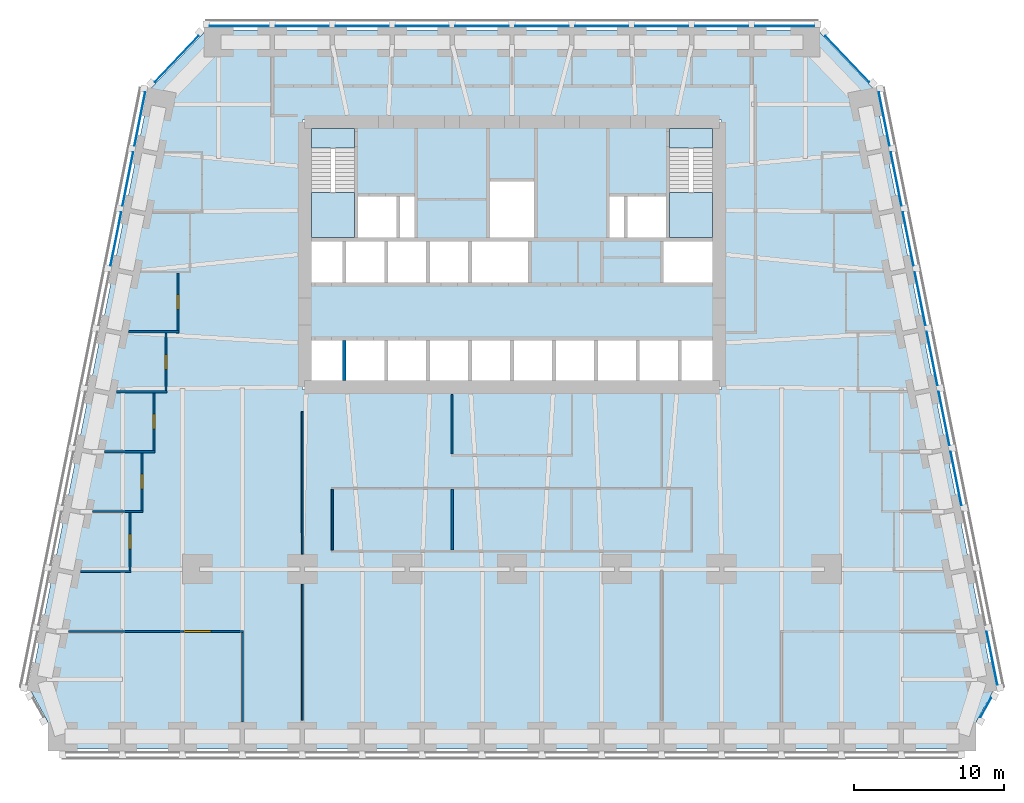
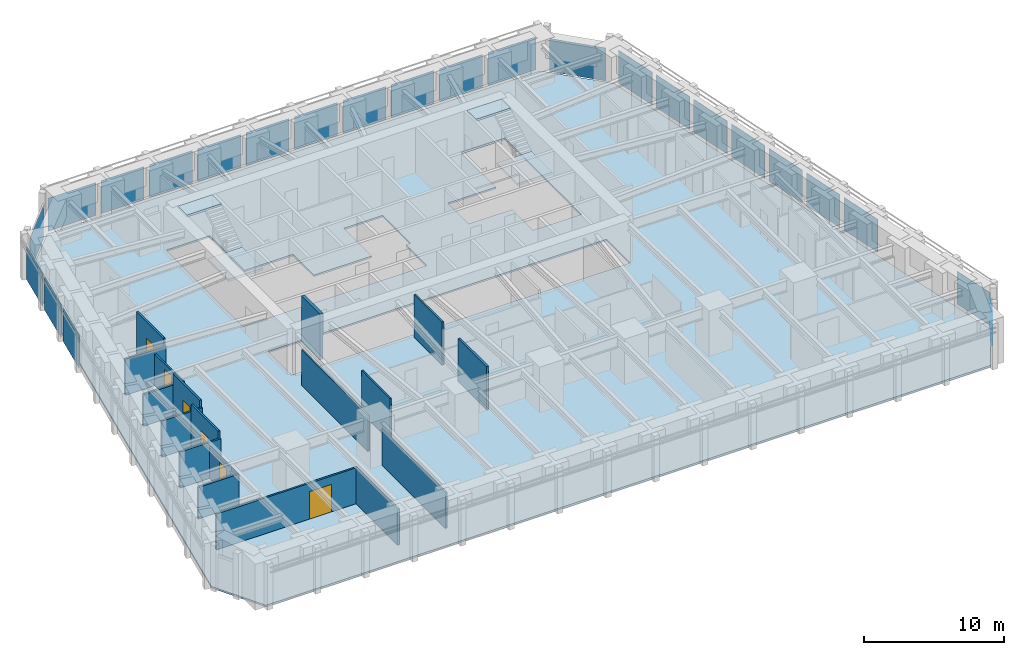
# One storey, part 5 of 10: 24 plates, 18 walls, 6 doors, 5 slabs, 6 openings, 8 elements without a shape of their own.
"""IFC4 building model written with IfcOpenShell, lengths in metres."""

from ifc_helpers import new_model, si_unit, direction, frame, frame_2d, origin, origin_2d, place, context, subcontext, project, spatial, polyline, rectangle, outline, extrude, material, layer, layer_set, type_object, element, fill, aggregate, save


model = new_model("IFC4")

# Units and contexts
model_context = context("Model", 3, precision=1e-05, world=origin(), true_north=direction((0.0, 1.0)))
body_context = subcontext(model_context, "Body", "Model", "MODEL_VIEW")
ifc_project = project(units=[si_unit("LENGTHUNIT", "METRE"), si_unit("AREAUNIT", "SQUARE_METRE"), si_unit("VOLUMEUNIT", "CUBIC_METRE"), si_unit("PLANEANGLEUNIT", "RADIAN"), si_unit("MASSUNIT", "GRAM", prefix="KILO")], contexts=[model_context])

# Site, building, storey
site_placement = place(None, origin())
site = spatial("IfcSite", under=ifc_project, at=site_placement, CompositionType="ELEMENT")
building_placement = place(site_placement, origin())
building = spatial("IfcBuilding", under=site, at=building_placement, Name="Isbrekke Arena Tower", CompositionType="ELEMENT")
storey_placement = place(building_placement, frame((0.0, 0.0, 88.0)))
storey = spatial("IfcBuildingStorey", under=building, at=storey_placement, Name="L19", CompositionType="ELEMENT", Elevation=88.0)

# Curtain wall, plate
ifc_material_1 = material(Name="Glazed aluminium curtain wall", Category="aluminium")
curtain_wall_type = type_object("IfcCurtainWallType", Name="CWL TOWER CURTAIN WALL LOW ZONE", PredefinedType="USERDEFINED", material=ifc_material_1)
curtain_wall_1_placement = place(storey_placement, origin())
curtain_wall_1 = element("IfcCurtainWall", 1, at=curtain_wall_1_placement, inside=storey, type_object=curtain_wall_type, Name="CWL curtain wall L19-SE", ObjectType="TOWER CURTAIN WALL LOW ZONE", PredefinedType="USERDEFINED")
ifc_material_2 = material(Name="Triple-glazed clear glass unit", Category="glass")
ifc_layer_1 = layer(ifc_material_2, 0.031982421875)
ifc_layer_set_1 = layer_set([ifc_layer_1], Name="CWL-P VISION PANEL")
plate_type = type_object("IfcPlateType", Name="CWL-P VISION PANEL", PredefinedType="CURTAIN_PANEL", material=ifc_layer_set_1)
plate_1_placement = place(storey_placement, frame((31.62744140625, -15.24853515625, 0.02001953125), z_axis=(0.0, 0.0, 1.0), x_axis=(0.481918749773, 0.876215908676, 0.0)))
plate_1 = element("IfcPlate", 2, at=plate_1_placement, type_object=plate_type, Name="CWL-P panel 1", PredefinedType="CURTAIN_PANEL", context=body_context, shape_type="SweptSolid", body=[
    extrude(rectangle(XDim=1.453369140625, YDim=0.031982421875, at=origin_2d()), origin(), (0.0, 0.0, 1.0), 2.8798828125),
])
aggregate(curtain_wall_1, [plate_1])

# Curtain wall, plates
curtain_wall_2_placement = place(storey_placement, origin())
curtain_wall_2 = element("IfcCurtainWall", 3, at=curtain_wall_2_placement, inside=storey, type_object=curtain_wall_type, Name="CWL curtain wall L19-E", ObjectType="TOWER CURTAIN WALL LOW ZONE", PredefinedType="USERDEFINED")
plate_2_placement = place(storey_placement, frame((32.045166015625, -11.950927734375, 0.02001953125), z_axis=(0.0, 0.0, 1.0), x_axis=(-0.196116135138, 0.980580675691, 0.0)))
plate_2 = element("IfcPlate", 4, at=plate_2_placement, type_object=plate_type, Name="CWL-P panel 1", PredefinedType="CURTAIN_PANEL", context=body_context, shape_type="SweptSolid", body=[
    extrude(rectangle(XDim=3.629150390625, YDim=0.031982421875, at=origin_2d()), origin(), (0.0, 0.0, 1.0), 2.8798828125),
])
plate_3_placement = place(storey_placement, frame((29.645263671875, 0.049072265625, 0.02001953125), z_axis=(0.0, 0.0, 1.0), x_axis=(-0.196116135138, 0.980580675691, 0.0)))
plate_3 = element("IfcPlate", 5, at=plate_3_placement, type_object=plate_type, Name="CWL-P panel 4", PredefinedType="CURTAIN_PANEL", context=body_context, shape_type="SweptSolid", body=[
    extrude(rectangle(XDim=3.629150390625, YDim=0.031982421875, at=origin_2d()), origin(), (0.0, 0.0, 1.0), 2.8798828125),
])
plate_4_placement = place(storey_placement, frame((28.84521484375, 4.049072265625, 0.02001953125), z_axis=(0.0, 0.0, 1.0), x_axis=(-0.196116135138, 0.980580675691, 0.0)))
plate_4 = element("IfcPlate", 6, at=plate_4_placement, type_object=plate_type, Name="CWL-P panel 5", PredefinedType="CURTAIN_PANEL", context=body_context, shape_type="SweptSolid", body=[
    extrude(rectangle(XDim=3.629150390625, YDim=0.031982421875, at=origin_2d()), origin(), (0.0, 0.0, 1.0), 2.8798828125),
])
plate_5_placement = place(storey_placement, frame((28.045166015625, 8.049072265625, 0.02001953125), z_axis=(0.0, 0.0, 1.0), x_axis=(-0.196116135138, 0.980580675691, 0.0)))
plate_5 = element("IfcPlate", 7, at=plate_5_placement, type_object=plate_type, Name="CWL-P panel 6", PredefinedType="CURTAIN_PANEL", context=body_context, shape_type="SweptSolid", body=[
    extrude(rectangle(XDim=3.629150390625, YDim=0.031982421875, at=origin_2d()), origin(), (0.0, 0.0, 1.0), 2.8798828125),
])
plate_6_placement = place(storey_placement, frame((27.2451171875, 12.049072265625, 0.02001953125), z_axis=(0.0, 0.0, 1.0), x_axis=(-0.196116135138, 0.980580675691, 0.0)))
plate_6 = element("IfcPlate", 8, at=plate_6_placement, type_object=plate_type, Name="CWL-P panel 7", PredefinedType="CURTAIN_PANEL", context=body_context, shape_type="SweptSolid", body=[
    extrude(rectangle(XDim=3.629150390625, YDim=0.031982421875, at=origin_2d()), origin(), (0.0, 0.0, 1.0), 2.8798828125),
])
plate_7_placement = place(storey_placement, frame((26.445068359375, 16.049072265625, 0.02001953125), z_axis=(0.0, 0.0, 1.0), x_axis=(-0.196116135138, 0.980580675691, 0.0)))
plate_7 = element("IfcPlate", 9, at=plate_7_placement, type_object=plate_type, Name="CWL-P panel 8", PredefinedType="CURTAIN_PANEL", context=body_context, shape_type="SweptSolid", body=[
    extrude(rectangle(XDim=3.629150390625, YDim=0.031982421875, at=origin_2d()), origin(), (0.0, 0.0, 1.0), 2.8798828125),
])
plate_8_placement = place(storey_placement, frame((25.645263671875, 20.049072265625, 0.02001953125), z_axis=(0.0, 0.0, 1.0), x_axis=(-0.196116135138, 0.980580675691, 0.0)))
plate_8 = element("IfcPlate", 10, at=plate_8_placement, type_object=plate_type, Name="CWL-P panel 9", PredefinedType="CURTAIN_PANEL", context=body_context, shape_type="SweptSolid", body=[
    extrude(rectangle(XDim=3.629150390625, YDim=0.031982421875, at=origin_2d()), origin(), (0.0, 0.0, 1.0), 2.8798828125),
])
plate_9_placement = place(storey_placement, frame((24.84521484375, 24.049072265625, 0.02001953125), z_axis=(0.0, 0.0, 1.0), x_axis=(-0.196116135138, 0.980580675691, 0.0)))
plate_9 = element("IfcPlate", 11, at=plate_9_placement, type_object=plate_type, Name="CWL-P panel 10", PredefinedType="CURTAIN_PANEL", context=body_context, shape_type="SweptSolid", body=[
    extrude(rectangle(XDim=3.629150390625, YDim=0.031982421875, at=origin_2d()), origin(), (0.0, 0.0, 1.0), 2.8798828125),
])
aggregate(curtain_wall_2, [plate_2, plate_3, plate_4, plate_5, plate_6, plate_7, plate_8, plate_9])

# Curtain wall, plate
curtain_wall_3_placement = place(storey_placement, origin())
curtain_wall_3 = element("IfcCurtainWall", 12, at=curtain_wall_3_placement, inside=storey, type_object=curtain_wall_type, Name="CWL curtain wall L19-EN", ObjectType="TOWER CURTAIN WALL LOW ZONE", PredefinedType="USERDEFINED")
plate_10_placement = place(storey_placement, frame((22.386474609375, 28.05419921875, 0.02001953125), z_axis=(0.0, 0.0, 1.0), x_axis=(-0.68874946192, 0.72499943359, 0.0)))
plate_10 = element("IfcPlate", 13, at=plate_10_placement, type_object=plate_type, Name="CWL-P panel 1", PredefinedType="CURTAIN_PANEL", context=body_context, shape_type="SweptSolid", body=[
    extrude(rectangle(XDim=4.22900390625, YDim=0.031982421875, at=origin_2d()), origin(), (0.0, 0.0, 1.0), 2.8798828125),
])
aggregate(curtain_wall_3, [plate_10])

# Curtain wall, plates
curtain_wall_4_placement = place(storey_placement, origin())
curtain_wall_4 = element("IfcCurtainWall", 14, at=curtain_wall_4_placement, inside=storey, type_object=curtain_wall_type, Name="CWL curtain wall L19-N", ObjectType="TOWER CURTAIN WALL LOW ZONE", PredefinedType="USERDEFINED")
plate_11_placement = place(storey_placement, frame((18.199951171875, 30.25, 0.02001953125), z_axis=(0.0, 0.0, 1.0), x_axis=(-1.0, 0.0, 0.0)))
plate_11 = element("IfcPlate", 15, at=plate_11_placement, type_object=plate_type, Name="CWL-P panel 1", PredefinedType="CURTAIN_PANEL", context=body_context, shape_type="SweptSolid", body=[
    extrude(rectangle(XDim=3.949951171875, YDim=0.031982421875, at=origin_2d()), origin(), (0.0, 0.0, 1.0), 2.8798828125),
])
plate_12_placement = place(storey_placement, frame((14.0, 30.25, 0.02001953125), z_axis=(0.0, 0.0, 1.0), x_axis=(-1.0, 0.0, 0.0)))
plate_12 = element("IfcPlate", 16, at=plate_12_placement, type_object=plate_type, Name="CWL-P panel 2", PredefinedType="CURTAIN_PANEL", context=body_context, shape_type="SweptSolid", body=[
    extrude(rectangle(XDim=3.550048828125, YDim=0.031982421875, at=origin_2d()), origin(), (0.0, 0.0, 1.0), 2.8798828125),
])
plate_13_placement = place(storey_placement, frame((10.0, 30.25, 0.02001953125), z_axis=(0.0, 0.0, 1.0), x_axis=(-1.0, 0.0, 0.0)))
plate_13 = element("IfcPlate", 17, at=plate_13_placement, type_object=plate_type, Name="CWL-P panel 3", PredefinedType="CURTAIN_PANEL", context=body_context, shape_type="SweptSolid", body=[
    extrude(rectangle(XDim=3.550048828125, YDim=0.031982421875, at=origin_2d()), origin(), (0.0, 0.0, 1.0), 2.8798828125),
])
plate_14_placement = place(storey_placement, frame((6.0, 30.25, 0.02001953125), z_axis=(0.0, 0.0, 1.0), x_axis=(-1.0, 0.0, 0.0)))
plate_14 = element("IfcPlate", 18, at=plate_14_placement, type_object=plate_type, Name="CWL-P panel 4", PredefinedType="CURTAIN_PANEL", context=body_context, shape_type="SweptSolid", body=[
    extrude(rectangle(XDim=3.550048828125, YDim=0.031982421875, at=origin_2d()), origin(), (0.0, 0.0, 1.0), 2.8798828125),
])
plate_15_placement = place(storey_placement, frame((2.0, 30.25, 0.02001953125), z_axis=(0.0, 0.0, 1.0), x_axis=(-1.0, 0.0, 0.0)))
plate_15 = element("IfcPlate", 19, at=plate_15_placement, type_object=plate_type, Name="CWL-P panel 5", PredefinedType="CURTAIN_PANEL", context=body_context, shape_type="SweptSolid", body=[
    extrude(rectangle(XDim=3.550048828125, YDim=0.031982421875, at=origin_2d()), origin(), (0.0, 0.0, 1.0), 2.8798828125),
])
plate_16_placement = place(storey_placement, frame((-2.0, 30.25, 0.02001953125), z_axis=(0.0, 0.0, 1.0), x_axis=(-1.0, 0.0, 0.0)))
plate_16 = element("IfcPlate", 20, at=plate_16_placement, type_object=plate_type, Name="CWL-P panel 6", PredefinedType="CURTAIN_PANEL", context=body_context, shape_type="SweptSolid", body=[
    extrude(rectangle(XDim=3.550048828125, YDim=0.031982421875, at=origin_2d()), origin(), (0.0, 0.0, 1.0), 2.8798828125),
])
plate_17_placement = place(storey_placement, frame((-6.0, 30.25, 0.02001953125), z_axis=(0.0, 0.0, 1.0), x_axis=(-1.0, 0.0, 0.0)))
plate_17 = element("IfcPlate", 21, at=plate_17_placement, type_object=plate_type, Name="CWL-P panel 7", PredefinedType="CURTAIN_PANEL", context=body_context, shape_type="SweptSolid", body=[
    extrude(rectangle(XDim=3.550048828125, YDim=0.031982421875, at=origin_2d()), origin(), (0.0, 0.0, 1.0), 2.8798828125),
])
plate_18_placement = place(storey_placement, frame((-10.0, 30.25, 0.02001953125), z_axis=(0.0, 0.0, 1.0), x_axis=(-1.0, 0.0, 0.0)))
plate_18 = element("IfcPlate", 22, at=plate_18_placement, type_object=plate_type, Name="CWL-P panel 8", PredefinedType="CURTAIN_PANEL", context=body_context, shape_type="SweptSolid", body=[
    extrude(rectangle(XDim=3.550048828125, YDim=0.031982421875, at=origin_2d()), origin(), (0.0, 0.0, 1.0), 2.8798828125),
])
plate_19_placement = place(storey_placement, frame((-14.0, 30.25, 0.02001953125), z_axis=(0.0, 0.0, 1.0), x_axis=(-1.0, 0.0, 0.0)))
plate_19 = element("IfcPlate", 23, at=plate_19_placement, type_object=plate_type, Name="CWL-P panel 9", PredefinedType="CURTAIN_PANEL", context=body_context, shape_type="SweptSolid", body=[
    extrude(rectangle(XDim=3.550048828125, YDim=0.031982421875, at=origin_2d()), origin(), (0.0, 0.0, 1.0), 2.8798828125),
])
plate_20_placement = place(storey_placement, frame((-18.199951171875, 30.25, 0.02001953125), z_axis=(0.0, 0.0, 1.0), x_axis=(-1.0, 0.0, 0.0)))
plate_20 = element("IfcPlate", 24, at=plate_20_placement, type_object=plate_type, Name="CWL-P panel 10", PredefinedType="CURTAIN_PANEL", context=body_context, shape_type="SweptSolid", body=[
    extrude(rectangle(XDim=3.949951171875, YDim=0.031982421875, at=origin_2d()), origin(), (0.0, 0.0, 1.0), 2.8798828125),
])
aggregate(curtain_wall_4, [plate_11, plate_12, plate_13, plate_14, plate_15, plate_16, plate_17, plate_18, plate_19, plate_20])

# Curtain wall, plate
curtain_wall_5_placement = place(storey_placement, origin())
curtain_wall_5 = element("IfcCurtainWall", 25, at=curtain_wall_5_placement, inside=storey, type_object=curtain_wall_type, Name="CWL curtain wall L19-NW", ObjectType="TOWER CURTAIN WALL LOW ZONE", PredefinedType="USERDEFINED")
plate_21_placement = place(storey_placement, frame((-22.38623046875, 28.054443359375, 0.02001953125), z_axis=(0.0, 0.0, 1.0), x_axis=(-0.68874946192, -0.72499943359, 0.0)))
plate_21 = element("IfcPlate", 26, at=plate_21_placement, type_object=plate_type, Name="CWL-P panel 1", PredefinedType="CURTAIN_PANEL", context=body_context, shape_type="SweptSolid", body=[
    extrude(rectangle(XDim=4.22802734375, YDim=0.031982421875, at=origin_2d()), origin(), (0.0, 0.0, 1.0), 2.8798828125),
])
aggregate(curtain_wall_5, [plate_21])

# Curtain wall, plates
curtain_wall_6_placement = place(storey_placement, origin())
curtain_wall_6 = element("IfcCurtainWall", 27, at=curtain_wall_6_placement, inside=storey, type_object=curtain_wall_type, Name="CWL curtain wall L19-W", ObjectType="TOWER CURTAIN WALL LOW ZONE", PredefinedType="USERDEFINED")
plate_22_placement = place(storey_placement, frame((-24.84521484375, 24.049072265625, 0.02001953125), z_axis=(0.0, 0.0, 1.0), x_axis=(-0.196116135138, -0.980580675691, 0.0)))
plate_22 = element("IfcPlate", 28, at=plate_22_placement, type_object=plate_type, Name="CWL-P panel 1", PredefinedType="CURTAIN_PANEL", context=body_context, shape_type="SweptSolid", body=[
    extrude(rectangle(XDim=3.629150390625, YDim=0.031982421875, at=origin_2d()), origin(), (0.0, 0.0, 1.0), 2.8798828125),
])
plate_23_placement = place(storey_placement, frame((-25.645263671875, 20.049072265625, 0.02001953125), z_axis=(0.0, 0.0, 1.0), x_axis=(-0.196116135138, -0.980580675691, 0.0)))
plate_23 = element("IfcPlate", 29, at=plate_23_placement, type_object=plate_type, Name="CWL-P panel 2", PredefinedType="CURTAIN_PANEL", context=body_context, shape_type="SweptSolid", body=[
    extrude(rectangle(XDim=3.629150390625, YDim=0.031982421875, at=origin_2d()), origin(), (0.0, 0.0, 1.0), 2.8798828125),
])
plate_24_placement = place(storey_placement, frame((-26.445068359375, 16.049072265625, 0.02001953125), z_axis=(0.0, 0.0, 1.0), x_axis=(-0.196116135138, -0.980580675691, 0.0)))
plate_24 = element("IfcPlate", 30, at=plate_24_placement, type_object=plate_type, Name="CWL-P panel 3", PredefinedType="CURTAIN_PANEL", context=body_context, shape_type="SweptSolid", body=[
    extrude(rectangle(XDim=3.629150390625, YDim=0.031982421875, at=origin_2d()), origin(), (0.0, 0.0, 1.0), 2.8798828125),
])
aggregate(curtain_wall_6, [plate_22, plate_23, plate_24])

# Slab
ifc_material_3 = material(Name="Concrete B35 (C35/45)", Category="concrete")
ifc_layer_2 = layer(ifc_material_3, 0.14990234375)
ifc_layer_set_2 = layer_set([ifc_layer_2], Name="FS1 COMPOSITE FLOOR 150")
slab_type_1 = type_object("IfcSlabType", Name="FS1 COMPOSITE FLOOR 150", PredefinedType="FLOOR", material=ifc_layer_set_2)
slab_1_placement = place(storey_placement, frame((0.0, 0.0, -0.14990234375)))
element("IfcSlab", 31, at=slab_1_placement, inside=storey, type_object=slab_type_1, Name="FS1 floor slab L19", PredefinedType="FLOOR", context=body_context, shape_type="SweptSolid", body=[
    extrude(outline(polyline([(-30.0, -18.0), (30.0, -18.0), (32.199951171875, -14.0), (24.199951171875, 26.0), (20.39990234375, 30.0), (-20.39990234375, 30.0), (-24.199951171875, 26.0), (-32.199951171875, -14.0), (-30.0, -18.0)]), holes=[polyline([(14.0, 9.39990234375), (14.0, 6.0), (-14.0, 6.0), (-14.0, 9.39990234375), (14.0, 9.39990234375)]), polyline([(-6.39990234375, 19.0), (-6.39990234375, 16.0), (-1.60009765625, 16.0), (-1.60009765625, 20.0), (1.60009765625, 20.0), (1.60009765625, 16.0), (1.199951171875, 16.0), (1.199951171875, 13.0), (-14.0, 13.0), (-14.0, 24.0), (-10.39990234375, 24.0), (-10.39990234375, 19.0), (-6.39990234375, 19.0)]), polyline([(10.0, 13.0), (10.0, 16.0), (6.39990234375, 16.0), (6.39990234375, 19.0), (10.39990234375, 19.0), (10.39990234375, 24.0), (14.0, 24.0), (14.0, 13.0), (10.0, 13.0)])]), origin(), (0.0, 0.0, 1.0), 0.14990234375),
])

# Stair, slabs
ifc_material_4 = material(Name="Concrete B45 (C45/55) precast", Category="concrete")
stair_type = type_object("IfcStairType", Name="ST40 STAIR 1300 WIDE, 24 RISERS 167", PredefinedType="HALF_TURN_STAIR", material=ifc_material_4)
stair_1_placement = place(storey_placement, origin())
stair_1 = element("IfcStair", 32, at=stair_1_placement, inside=storey, type_object=stair_type, Name="ST1 stair L19", PredefinedType="HALF_TURN_STAIR")
ifc_material_5 = material(Name="Concrete B35 (C35/45)", Category="concrete")
ifc_layer_3 = layer(ifc_material_5, 0.199951171875)
ifc_layer_set_3 = layer_set([ifc_layer_3], Name="SL1 STAIR LANDING 200")
slab_type_2 = type_object("IfcSlabType", Name="SL1 STAIR LANDING 200", PredefinedType="LANDING", material=ifc_layer_set_3)
slab_2_placement = place(storey_placement, frame((0.0, 0.0, 1.800048828125)))
slab_2 = element("IfcSlab", 33, at=slab_2_placement, type_object=slab_type_2, Name="ST1 landing 1", PredefinedType="LANDING", context=body_context, shape_type="SweptSolid", body=[
    extrude(outline(polyline([(-13.39990234375, 16.125), (-10.52490234375, 16.125), (-10.52490234375, 19.1298828125), (-13.39990234375, 19.1298828125), (-13.39990234375, 16.125)])), origin(), (0.0, 0.0, 1.0), 0.199951171875),
])
slab_3_placement = place(storey_placement, frame((0.0, 0.0, 3.800048828125)))
slab_3 = element("IfcSlab", 34, at=slab_3_placement, type_object=slab_type_2, Name="ST1 landing 2", PredefinedType="LANDING", context=body_context, shape_type="SweptSolid", body=[
    extrude(outline(polyline([(-13.39990234375, 22.10009765625), (-10.52490234375, 22.10009765625), (-10.52490234375, 23.39990234375), (-13.39990234375, 23.39990234375), (-13.39990234375, 22.10009765625)])), origin(), (0.0, 0.0, 1.0), 0.199951171875),
])
aggregate(stair_1, [slab_2, slab_3])

stair_2_placement = place(storey_placement, origin())
stair_2 = element("IfcStair", 35, at=stair_2_placement, inside=storey, type_object=stair_type, Name="ST2 stair L19", PredefinedType="HALF_TURN_STAIR")
slab_4_placement = place(storey_placement, frame((0.0, 0.0, 1.800048828125)))
slab_4 = element("IfcSlab", 36, at=slab_4_placement, type_object=slab_type_2, Name="ST2 landing 1", PredefinedType="LANDING", context=body_context, shape_type="SweptSolid", body=[
    extrude(outline(polyline([(10.52490234375, 16.125), (13.39990234375, 16.125), (13.39990234375, 19.1298828125), (10.52490234375, 19.1298828125), (10.52490234375, 16.125)])), origin(), (0.0, 0.0, 1.0), 0.199951171875),
])
slab_5_placement = place(storey_placement, frame((0.0, 0.0, 3.800048828125)))
slab_5 = element("IfcSlab", 37, at=slab_5_placement, type_object=slab_type_2, Name="ST2 landing 2", PredefinedType="LANDING", context=body_context, shape_type="SweptSolid", body=[
    extrude(outline(polyline([(10.52490234375, 22.10009765625), (13.39990234375, 22.10009765625), (13.39990234375, 23.39990234375), (10.52490234375, 23.39990234375), (10.52490234375, 22.10009765625)])), origin(), (0.0, 0.0, 1.0), 0.199951171875),
])
aggregate(stair_2, [slab_4, slab_5])

# Wall
ifc_material_6 = material(Name="Concrete B45 (C45/55)", Category="concrete")
ifc_layer_4 = layer(ifc_material_6, 0.25)
ifc_layer_set_4 = layer_set([ifc_layer_4], Name="CW6 SHAFT WALL 250")
wall_type_1 = type_object("IfcWallType", Name="CW6 SHAFT WALL 250", PredefinedType="SHEAR", material=ifc_layer_set_4)
wall_1_placement = place(storey_placement, frame((-11.199951171875, 6.60009765625, 0.0), z_axis=(0.0, 0.0, 1.0), x_axis=(0.0, 1.0, 0.0)))
element("IfcWall", 38, at=wall_1_placement, inside=storey, type_object=wall_type_1, Name="Core wall SS01 L19", PredefinedType="SHEAR", context=body_context, shape_type="SweptSolid", body=[
    extrude(rectangle(XDim=2.6748046875, YDim=0.25, at=frame_2d((1.33740234375, 0.0))), origin(), (0.0, 0.0, 1.0), 4.0),
])

# Wall, opening, door
ifc_material_7 = material(Name="Gypsum board partition on steel studs", Category="steel")
ifc_layer_5 = layer(ifc_material_7, 0.14990234375)
ifc_layer_set_5 = layer_set([ifc_layer_5], Name="IW1 PARTITION 150")
wall_type_2 = type_object("IfcWallType", Name="IW1 PARTITION 150", PredefinedType="PARTITIONING", material=ifc_layer_set_5)
wall_2_placement = place(storey_placement, frame((-29.596435546875, -10.159912109375, 0.0), z_axis=(0.0, 0.0, 1.0), x_axis=(1.0, 0.0, 0.0)))
wall_2 = element("IfcWall", 39, at=wall_2_placement, inside=storey, type_object=wall_type_2, Name="IW1 partition 150 L19", PredefinedType="PARTITIONING", context=body_context, shape_type="SweptSolid", body=[
    extrude(rectangle(XDim=11.67138671875, YDim=0.14990234375, at=frame_2d((5.835693359375, 0.0))), origin(), (0.0, 0.0, 1.0), 3.1298828125),
])
opening_1_placement = place(wall_2_placement, frame((7.6962890625, 0.0, 0.0)))
opening_1 = element("IfcOpeningElement", 40, at=opening_1_placement, cuts=wall_2, Name="Opening D13", PredefinedType="OPENING", context=body_context, shape_type="SweptSolid", body=[
    extrude(rectangle(XDim=1.800048828125, YDim=2.39990234375, at=frame_2d((0.89990234375, 1.199951171875))), frame((0.0, 0.08984375, 0.0), z_axis=(0.0, -1.0, 0.0), x_axis=(1.0, 0.0, 0.0)), (0.0, 0.0, 1.0), 0.1796875),
])
ifc_material_8 = material(Name="Timber door pair", Category="wood")
door_type_1 = type_object("IfcDoorType", Name="D13 DOUBLE ROOM DOOR 1800 x 2400", OperationType="DOUBLE_DOOR_SINGLE_SWING", PredefinedType="DOOR", material=ifc_material_8)
door_1_placement = place(opening_1_placement, origin())
door_1 = element("IfcDoor", 41, at=door_1_placement, inside=storey, type_object=door_type_1, Name="D13 office door L19", OperationType="DOUBLE_DOOR_SINGLE_SWING", OverallHeight=2.39990234375, OverallWidth=1.800048828125, PredefinedType="DOOR", context=body_context, shape_type="SweptSolid", body=[
    extrude(rectangle(XDim=1.800048828125, YDim=2.39990234375, at=frame_2d((0.89990234375, 1.199951171875))), frame((0.0, 0.07470703125, 0.0), z_axis=(0.0, -1.0, 0.0), x_axis=(1.0, 0.0, 0.0)), (0.0, 0.0, 1.0), 0.1494140625),
])
fill(opening_1, door_1)

# Walls
wall_3_placement = place(storey_placement, frame((-28.79638671875, -6.159912109375, 0.0), z_axis=(0.0, 0.0, 1.0), x_axis=(1.0, 0.0, 0.0)))
element("IfcWall", 42, at=wall_3_placement, inside=storey, type_object=wall_type_2, Name="IW1 partition 150 L19", PredefinedType="PARTITIONING", context=body_context, shape_type="SweptSolid", body=[
    extrude(rectangle(XDim=3.371337890625, YDim=0.14990234375, at=frame_2d((1.685546875, 0.0))), origin(), (0.0, 0.0, 1.0), 2.741943359375),
])
for number, where, z_axis, x_axis, name in (
    (43, (-27.996337890625, -2.159912109375, 0.0), (0.0, 0.0, 1.0), (1.0, 0.0, 0.0), "IW1 partition 150 L19"),
    (44, (-27.1962890625, 1.840087890625, 0.0), (0.0, 0.0, 1.0), (1.0, 0.0, 0.0), "IW1 partition 150 L19"),
):
    element("IfcWall", number, at=place(storey_placement, frame(where, z_axis=z_axis, x_axis=x_axis)), inside=storey, type_object=wall_type_2, Name=name, PredefinedType="PARTITIONING", context=body_context, shape_type="SweptSolid", body=[
        extrude(rectangle(XDim=3.371337890625, YDim=0.14990234375, at=frame_2d((1.685546875, 0.0))), origin(), (0.0, 0.0, 1.0), 3.1298828125),
    ])
wall_4_placement = place(storey_placement, frame((-26.396484375, 5.840087890625, 0.0), z_axis=(0.0, 0.0, 1.0), x_axis=(1.0, 0.0, 0.0)))
element("IfcWall", 45, at=wall_4_placement, inside=storey, type_object=wall_type_2, Name="IW1 partition 150 L19", PredefinedType="PARTITIONING", context=body_context, shape_type="SweptSolid", body=[
    extrude(rectangle(XDim=3.37158203125, YDim=0.14990234375, at=frame_2d((1.685791015625, 0.0))), origin(), (0.0, 0.0, 1.0), 2.741943359375),
])
wall_5_placement = place(storey_placement, frame((-25.596435546875, 9.840087890625, 0.0), z_axis=(0.0, 0.0, 1.0), x_axis=(1.0, 0.0, 0.0)))
element("IfcWall", 46, at=wall_5_placement, inside=storey, type_object=wall_type_2, Name="IW1 partition 150 L19", PredefinedType="PARTITIONING", context=body_context, shape_type="SweptSolid", body=[
    extrude(rectangle(XDim=3.371337890625, YDim=0.14990234375, at=frame_2d((1.685546875, 0.0))), origin(), (0.0, 0.0, 1.0), 3.1298828125),
])

# Wall, opening, door
wall_6_placement = place(storey_placement, frame((-25.5, -6.0849609375, 0.0), z_axis=(0.0, 0.0, 1.0), x_axis=(0.0, 1.0, 0.0)))
wall_6 = element("IfcWall", 47, at=wall_6_placement, inside=storey, type_object=wall_type_2, Name="IW1 partition 150 L19", PredefinedType="PARTITIONING", context=body_context, shape_type="SweptSolid", body=[
    extrude(rectangle(XDim=3.849853515625, YDim=0.14990234375, at=frame_2d((1.9248046875, 0.0))), origin(), (0.0, 0.0, 1.0), 2.741943359375),
])
opening_2_placement = place(wall_6_placement, frame((1.425048828125, 0.0, 0.0)))
opening_2 = element("IfcOpeningElement", 48, at=opening_2_placement, cuts=wall_6, Name="Opening D10", PredefinedType="OPENING", context=body_context, shape_type="SweptSolid", body=[
    extrude(rectangle(XDim=1.0, YDim=2.300048828125, at=frame_2d((0.5, 1.14990234375))), frame((0.0, 0.08984375, 0.0), z_axis=(0.0, -1.0, 0.0), x_axis=(1.0, 0.0, 0.0)), (0.0, 0.0, 1.0), 0.1796875),
])
ifc_material_9 = material(Name="Timber door", Category="wood")
door_type_2 = type_object("IfcDoorType", Name="D10 OFFICE DOOR 1000 x 2300", OperationType="SINGLE_SWING_LEFT", PredefinedType="DOOR", material=ifc_material_9)
door_2_placement = place(opening_2_placement, origin())
door_2 = element("IfcDoor", 49, at=door_2_placement, inside=storey, type_object=door_type_2, Name="D10 office door L19", OperationType="SINGLE_SWING_LEFT", OverallHeight=2.300048828125, OverallWidth=1.0, PredefinedType="DOOR", context=body_context, shape_type="SweptSolid", body=[
    extrude(rectangle(XDim=1.0, YDim=2.300048828125, at=frame_2d((0.5, 1.14990234375))), frame((0.0, 0.07470703125, 0.0), z_axis=(0.0, -1.0, 0.0), x_axis=(1.0, 0.0, 0.0)), (0.0, 0.0, 1.0), 0.1494140625),
])
fill(opening_2, door_2)

wall_7_placement = place(storey_placement, frame((-24.699951171875, -2.0849609375, 0.0), z_axis=(0.0, 0.0, 1.0), x_axis=(0.0, 1.0, 0.0)))
wall_7 = element("IfcWall", 50, at=wall_7_placement, inside=storey, type_object=wall_type_2, Name="IW1 partition 150 L19", PredefinedType="PARTITIONING", context=body_context, shape_type="SweptSolid", body=[
    extrude(rectangle(XDim=3.849853515625, YDim=0.14990234375, at=frame_2d((1.9248046875, 0.0))), origin(), (0.0, 0.0, 1.0), 3.75),
])
opening_3_placement = place(wall_7_placement, frame((1.425048828125, 0.0, 0.0)))
opening_3 = element("IfcOpeningElement", 51, at=opening_3_placement, cuts=wall_7, Name="Opening D10", PredefinedType="OPENING", context=body_context, shape_type="SweptSolid", body=[
    extrude(rectangle(XDim=1.0, YDim=2.300048828125, at=frame_2d((0.5, 1.14990234375))), frame((0.0, 0.08984375, 0.0), z_axis=(0.0, -1.0, 0.0), x_axis=(1.0, 0.0, 0.0)), (0.0, 0.0, 1.0), 0.1796875),
])
door_3_placement = place(opening_3_placement, origin())
door_3 = element("IfcDoor", 52, at=door_3_placement, inside=storey, type_object=door_type_2, Name="D10 office door L19", OperationType="SINGLE_SWING_LEFT", OverallHeight=2.300048828125, OverallWidth=1.0, PredefinedType="DOOR", context=body_context, shape_type="SweptSolid", body=[
    extrude(rectangle(XDim=1.0, YDim=2.300048828125, at=frame_2d((0.5, 1.14990234375))), frame((0.0, 0.07470703125, 0.0), z_axis=(0.0, -1.0, 0.0), x_axis=(1.0, 0.0, 0.0)), (0.0, 0.0, 1.0), 0.1494140625),
])
fill(opening_3, door_3)

wall_8_placement = place(storey_placement, frame((-23.89990234375, 1.9150390625, 0.0), z_axis=(0.0, 0.0, 1.0), x_axis=(0.0, 1.0, 0.0)))
wall_8 = element("IfcWall", 53, at=wall_8_placement, inside=storey, type_object=wall_type_2, Name="IW1 partition 150 L19", PredefinedType="PARTITIONING", context=body_context, shape_type="SweptSolid", body=[
    extrude(rectangle(XDim=3.849853515625, YDim=0.14990234375, at=frame_2d((1.9248046875, 0.0))), origin(), (0.0, 0.0, 1.0), 3.75),
])
opening_4_placement = place(wall_8_placement, frame((1.425048828125, 0.0, 0.0)))
opening_4 = element("IfcOpeningElement", 54, at=opening_4_placement, cuts=wall_8, Name="Opening D10", PredefinedType="OPENING", context=body_context, shape_type="SweptSolid", body=[
    extrude(rectangle(XDim=1.0, YDim=2.300048828125, at=frame_2d((0.5, 1.14990234375))), frame((0.0, 0.08984375, 0.0), z_axis=(0.0, -1.0, 0.0), x_axis=(1.0, 0.0, 0.0)), (0.0, 0.0, 1.0), 0.1796875),
])
door_4_placement = place(opening_4_placement, origin())
door_4 = element("IfcDoor", 55, at=door_4_placement, inside=storey, type_object=door_type_2, Name="D10 office door L19", OperationType="SINGLE_SWING_LEFT", OverallHeight=2.300048828125, OverallWidth=1.0, PredefinedType="DOOR", context=body_context, shape_type="SweptSolid", body=[
    extrude(rectangle(XDim=1.0, YDim=2.300048828125, at=frame_2d((0.5, 1.14990234375))), frame((0.0, 0.07470703125, 0.0), z_axis=(0.0, -1.0, 0.0), x_axis=(1.0, 0.0, 0.0)), (0.0, 0.0, 1.0), 0.1494140625),
])
fill(opening_4, door_4)

wall_9_placement = place(storey_placement, frame((-23.10009765625, 5.9150390625, 0.0), z_axis=(0.0, 0.0, 1.0), x_axis=(0.0, 1.0, 0.0)))
wall_9 = element("IfcWall", 56, at=wall_9_placement, inside=storey, type_object=wall_type_2, Name="IW1 partition 150 L19", PredefinedType="PARTITIONING", context=body_context, shape_type="SweptSolid", body=[
    extrude(rectangle(XDim=3.849853515625, YDim=0.14990234375, at=frame_2d((1.9248046875, 0.0))), origin(), (0.0, 0.0, 1.0), 2.741943359375),
])
opening_5_placement = place(wall_9_placement, frame((1.425048828125, 0.0, 0.0)))
opening_5 = element("IfcOpeningElement", 57, at=opening_5_placement, cuts=wall_9, Name="Opening D10", PredefinedType="OPENING", context=body_context, shape_type="SweptSolid", body=[
    extrude(rectangle(XDim=1.0, YDim=2.300048828125, at=frame_2d((0.5, 1.14990234375))), frame((0.0, 0.08984375, 0.0), z_axis=(0.0, -1.0, 0.0), x_axis=(1.0, 0.0, 0.0)), (0.0, 0.0, 1.0), 0.1796875),
])
door_5_placement = place(opening_5_placement, origin())
door_5 = element("IfcDoor", 58, at=door_5_placement, inside=storey, type_object=door_type_2, Name="D10 office door L19", OperationType="SINGLE_SWING_LEFT", OverallHeight=2.300048828125, OverallWidth=1.0, PredefinedType="DOOR", context=body_context, shape_type="SweptSolid", body=[
    extrude(rectangle(XDim=1.0, YDim=2.300048828125, at=frame_2d((0.5, 1.14990234375))), frame((0.0, 0.07470703125, 0.0), z_axis=(0.0, -1.0, 0.0), x_axis=(1.0, 0.0, 0.0)), (0.0, 0.0, 1.0), 0.1494140625),
])
fill(opening_5, door_5)

wall_10_placement = place(storey_placement, frame((-22.300048828125, 9.9150390625, 0.0), z_axis=(0.0, 0.0, 1.0), x_axis=(0.0, 1.0, 0.0)))
wall_10 = element("IfcWall", 59, at=wall_10_placement, inside=storey, type_object=wall_type_2, Name="IW1 partition 150 L19", PredefinedType="PARTITIONING", context=body_context, shape_type="SweptSolid", body=[
    extrude(rectangle(XDim=3.849853515625, YDim=0.14990234375, at=frame_2d((1.9248046875, 0.0))), origin(), (0.0, 0.0, 1.0), 3.75),
])
opening_6_placement = place(wall_10_placement, frame((1.425048828125, 0.0, 0.0)))
opening_6 = element("IfcOpeningElement", 60, at=opening_6_placement, cuts=wall_10, Name="Opening D10", PredefinedType="OPENING", context=body_context, shape_type="SweptSolid", body=[
    extrude(rectangle(XDim=1.0, YDim=2.300048828125, at=frame_2d((0.5, 1.14990234375))), frame((0.0, 0.08984375, 0.0), z_axis=(0.0, -1.0, 0.0), x_axis=(1.0, 0.0, 0.0)), (0.0, 0.0, 1.0), 0.1796875),
])
door_6_placement = place(opening_6_placement, origin())
door_6 = element("IfcDoor", 61, at=door_6_placement, inside=storey, type_object=door_type_2, Name="D10 office door L19", OperationType="SINGLE_SWING_LEFT", OverallHeight=2.300048828125, OverallWidth=1.0, PredefinedType="DOOR", context=body_context, shape_type="SweptSolid", body=[
    extrude(rectangle(XDim=1.0, YDim=2.300048828125, at=frame_2d((0.5, 1.14990234375))), frame((0.0, 0.07470703125, 0.0), z_axis=(0.0, -1.0, 0.0), x_axis=(1.0, 0.0, 0.0)), (0.0, 0.0, 1.0), 0.1494140625),
])
fill(opening_6, door_6)

# Walls
wall_11_placement = place(storey_placement, frame((-18.0, -16.199951171875, 0.0), z_axis=(0.0, 0.0, 1.0), x_axis=(0.0, 1.0, 0.0)))
element("IfcWall", 62, at=wall_11_placement, inside=storey, type_object=wall_type_2, Name="IW1 partition 150 L19", PredefinedType="PARTITIONING", context=body_context, shape_type="SweptSolid", body=[
    extrude(rectangle(XDim=5.96484375, YDim=0.14990234375, at=frame_2d((2.982421875, 0.0))), origin(), (0.0, 0.0, 1.0), 3.1298828125),
])
wall_12_placement = place(storey_placement, frame((-4.0, 1.675048828125, 0.0), z_axis=(0.0, 0.0, 1.0), x_axis=(0.0, 1.0, 0.0)))
element("IfcWall", 63, at=wall_12_placement, inside=storey, type_object=wall_type_2, Name="IW1 partition 150 L19", PredefinedType="PARTITIONING", context=body_context, shape_type="SweptSolid", body=[
    extrude(rectangle(XDim=3.994873046875, YDim=0.14990234375, at=frame_2d((1.99755859375, 0.0))), origin(), (0.0, 0.0, 1.0), 3.75),
])
ifc_material_10 = material(Name="Frameless glazed partition, laminated acoustic glass", Category="glass")
ifc_layer_6 = layer(ifc_material_10, 0.1201171875)
ifc_layer_set_6 = layer_set([ifc_layer_6], Name="IW2 GLAZED PARTITION 120")
wall_type_3 = type_object("IfcWallType", Name="IW2 GLAZED PARTITION 120", PredefinedType="PARTITIONING", material=ifc_layer_set_6)
wall_13_placement = place(storey_placement, frame((-12.0, -4.739990234375, 0.0), z_axis=(0.0, 0.0, 1.0), x_axis=(0.0, 1.0, 0.0)))
element("IfcWall", 64, at=wall_13_placement, inside=storey, type_object=wall_type_3, Name="IW2 glazed partition 120 L19", PredefinedType="PARTITIONING", context=body_context, shape_type="SweptSolid", body=[
    extrude(rectangle(XDim=4.080078125, YDim=0.1201171875, at=frame_2d((2.0400390625, 0.0))), origin(), (0.0, 0.0, 1.0), 3.75),
])
wall_14_placement = place(storey_placement, frame((-13.9990234375, -16.10009765625, 0.0), z_axis=(0.0, 0.0, 1.0), x_axis=(0.0, 1.0, 0.0)))
element("IfcWall", 65, at=wall_14_placement, inside=storey, type_object=wall_type_3, Name="IW2 glazed partition 120 L19", PredefinedType="PARTITIONING", context=body_context, shape_type="SweptSolid", body=[
    extrude(rectangle(XDim=9.10009765625, YDim=0.1201171875, at=frame_2d((4.550048828125, 0.0))), origin(), (0.0, 0.0, 1.0), 3.1298828125),
])
wall_15_placement = place(storey_placement, frame((-13.9990234375, -5.0, 0.0), z_axis=(0.0, 0.0, 1.0), x_axis=(0.0, 1.0, 0.0)))
element("IfcWall", 66, at=wall_15_placement, inside=storey, type_object=wall_type_3, Name="IW2 glazed partition 120 L19", PredefinedType="PARTITIONING", context=body_context, shape_type="SweptSolid", body=[
    extrude(rectangle(XDim=9.5, YDim=0.1201171875, at=frame_2d((4.75, 0.0))), origin(), (0.0, 0.0, 1.0), 3.1298828125),
])
ifc_material_11 = material(Name="Gypsum board acoustic partition on twin steel studs", Category="steel")
ifc_layer_7 = layer(ifc_material_11, 0.175048828125)
ifc_layer_set_7 = layer_set([ifc_layer_7], Name="IW4 ACOUSTIC PARTITION 175")
wall_type_4 = type_object("IfcWallType", Name="IW4 ACOUSTIC PARTITION 175", PredefinedType="PARTITIONING", material=ifc_layer_set_7)
wall_16_placement = place(storey_placement, frame((-4.0, -4.739990234375, 0.0), z_axis=(0.0, 0.0, 1.0), x_axis=(0.0, 1.0, 0.0)))
element("IfcWall", 67, at=wall_16_placement, inside=storey, type_object=wall_type_4, Name="IW4 acoustic partition 175 L19", PredefinedType="PARTITIONING", context=body_context, shape_type="SweptSolid", body=[
    extrude(rectangle(XDim=4.080078125, YDim=0.175048828125, at=frame_2d((2.0400390625, 0.0))), origin(), (0.0, 0.0, 1.0), 3.75),
])

save(model, "model.ifc")
